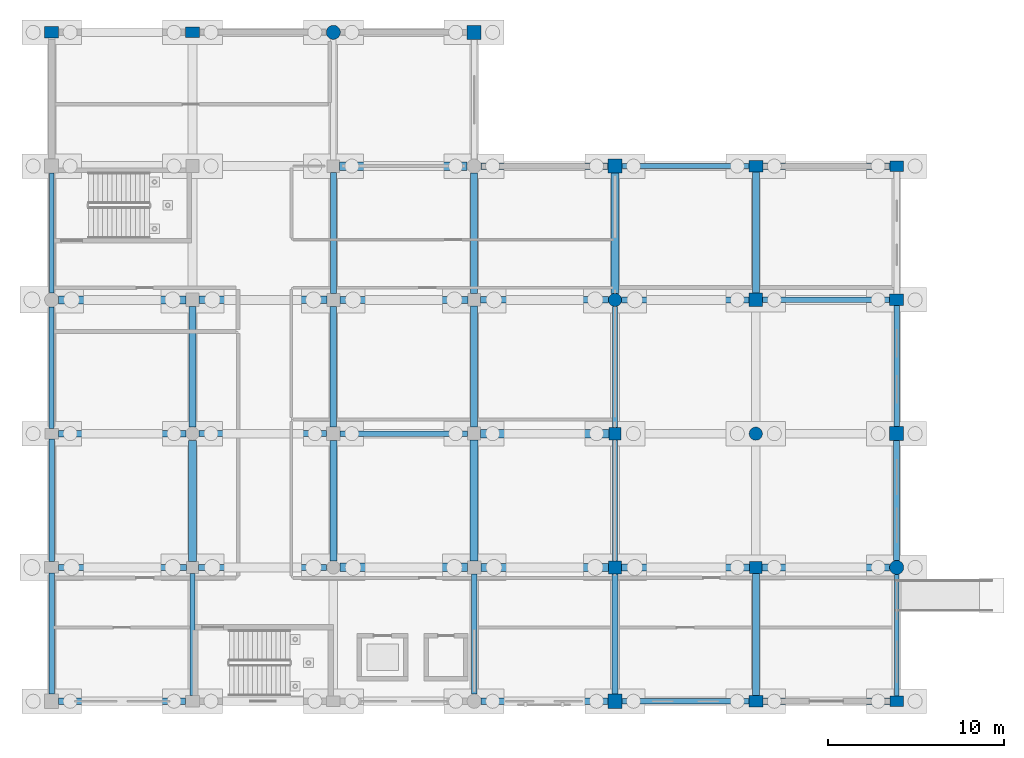
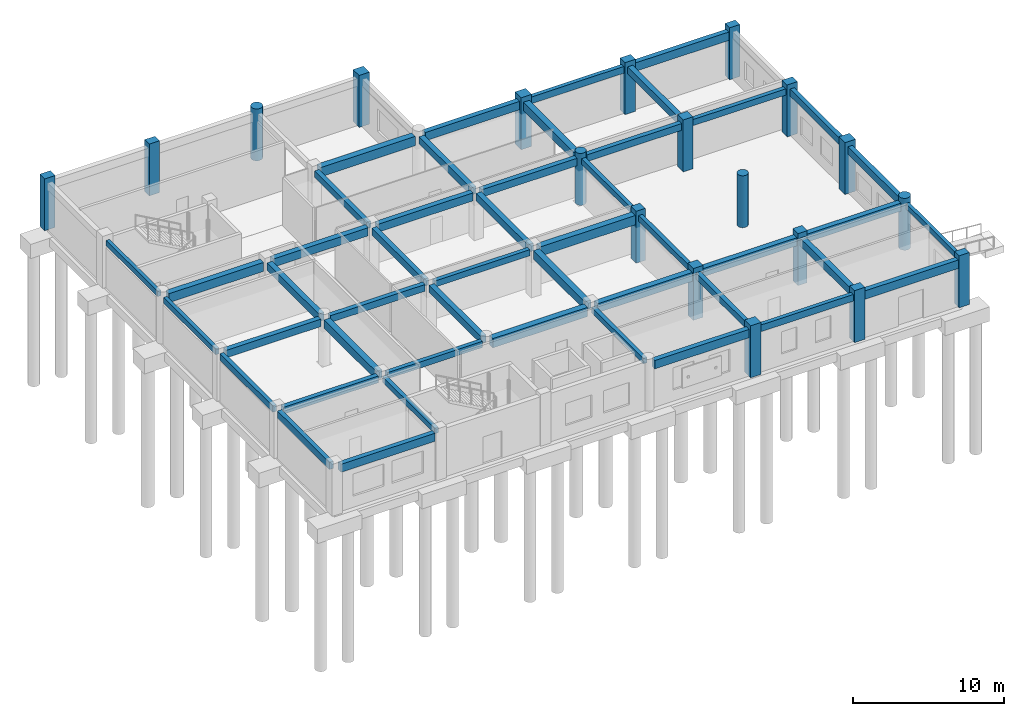
# One storey, part 4 of 11: 47 beams, 19 columns.
"""IFC4 building model written with IfcOpenShell, lengths in metres."""

from ifc_helpers import new_model, si_unit, direction, frame, origin, origin_2d, place, context, subcontext, project, spatial, rectangle, circle, extrude, material, material_profile, profile_set, type_object, element, save


model = new_model("IFC4")

# Units and contexts
model_context = context("Model", 3, precision=1e-05, world=origin(), true_north=direction((0.0, 1.0)))
body_context = subcontext(model_context, "Body", "Model", "MODEL_VIEW")
ifc_project = project(units=[si_unit("LENGTHUNIT", "METRE"), si_unit("AREAUNIT", "SQUARE_METRE"), si_unit("VOLUMEUNIT", "CUBIC_METRE"), si_unit("PLANEANGLEUNIT", "RADIAN"), si_unit("MASSUNIT", "GRAM", prefix="KILO")], contexts=[model_context])

# Site, building, storey
site_placement = place(None, origin())
site = spatial("IfcSite", under=ifc_project, at=site_placement, CompositionType="ELEMENT")
building_placement = place(site_placement, origin())
building = spatial("IfcBuilding", under=site, at=building_placement, Name="Kharva Crest Polytechnic", CompositionType="ELEMENT")
storey_placement = place(building_placement, frame((0.0, 0.0, -4.199951171875)))
storey = spatial("IfcBuildingStorey", under=building, at=storey_placement, Name="LG", CompositionType="ELEMENT", Elevation=-4.199951171875)

# Columns
ifc_material_1 = material(Name="Concrete C40/50", Category="concrete")
ifc_material_profile_1 = material_profile(ifc_material_1, rectangle(XDim=0.780029296875, YDim=0.60009765625, at=origin_2d()), Name="RECT 780 X 600")
ifc_profile_set_1 = profile_set([ifc_material_profile_1], Name="Concrete C40/50")
column_type_1 = type_object("IfcColumnType", Name="COL-EXT-780X600", PredefinedType="COLUMN", material=ifc_profile_set_1)
for number, where, z_axis, x_axis, name in (
    (1, (128.800048828125, 38.0, 0.0), (0.0, 0.0, 1.0), (1.0, 0.0, 0.0), "LG Column 17/F"),
    (2, (168.800048828125, 0.0, 0.0), (0.0, 0.0, 1.0), (1.0, 0.0, 0.0), "LG Column 22/A"),
    (3, (168.800048828125, 30.39990234375, 0.0), (0.0, 0.0, 1.0), (1.0, 0.0, 0.0), "LG Column 22/E"),
):
    element("IfcColumn", number, at=place(storey_placement, frame(where, z_axis=z_axis, x_axis=x_axis)), inside=storey, type_object=column_type_1, Name=name, PredefinedType="COLUMN", context=body_context, shape_type="SweptSolid", body=[
        extrude(rectangle(XDim=0.780029296875, YDim=0.60009765625, at=origin_2d()), origin(), (0.0, 0.0, 1.0), 4.199951171875),
    ])
ifc_material_profile_2 = material_profile(ifc_material_1, rectangle(XDim=0.800048828125, YDim=0.64990234375, at=origin_2d()), Name="RECT 800 X 650")
ifc_profile_set_2 = profile_set([ifc_material_profile_2], Name="Concrete C40/50")
column_type_2 = type_object("IfcColumnType", Name="COL-EXT-800X650", PredefinedType="COLUMN", material=ifc_profile_set_2)
for number, where, z_axis, x_axis, name in (
    (4, (120.800048828125, 38.0, 0.0), (0.0, 0.0, 1.0), (1.0, 0.0, 0.0), "LG Column 16J/F"),
    (5, (160.800048828125, 0.0, 0.0), (0.0, 0.0, 1.0), (1.0, 0.0, 0.0), "LG Column 21/A"),
    (6, (160.800048828125, 30.39990234375, 0.0), (0.0, 0.0, 1.0), (1.0, 0.0, 0.0), "LG Column 21/E"),
    (7, (168.800048828125, 22.800048828125, 0.0), (0.0, 0.0, 1.0), (1.0, 0.0, 0.0), "LG Column 22/D"),
):
    element("IfcColumn", number, at=place(storey_placement, frame(where, z_axis=z_axis, x_axis=x_axis)), inside=storey, type_object=column_type_2, Name=name, PredefinedType="COLUMN", context=body_context, shape_type="SweptSolid", body=[
        extrude(rectangle(XDim=0.800048828125, YDim=0.64990234375, at=origin_2d()), origin(), (0.0, 0.0, 1.0), 4.199951171875),
    ])
ifc_material_profile_3 = material_profile(ifc_material_1, rectangle(XDim=0.800048828125, YDim=0.800048828125, at=origin_2d()), Name="RECT 800 X 800")
ifc_profile_set_3 = profile_set([ifc_material_profile_3], Name="Concrete C40/50")
column_type_3 = type_object("IfcColumnType", Name="COL-EXT-800X800", PredefinedType="COLUMN", material=ifc_profile_set_3)
for number, where, z_axis, x_axis, name in (
    (8, (144.800048828125, 38.0, 0.0), (0.0, 0.0, 1.0), (1.0, 0.0, 0.0), "LG Column 19/F"),
    (9, (152.800048828125, 0.0, 0.0), (0.0, 0.0, 1.0), (1.0, 0.0, 0.0), "LG Column 20/A"),
    (10, (152.800048828125, 30.39990234375, 0.0), (0.0, 0.0, 1.0), (1.0, 0.0, 0.0), "LG Column 20/E"),
    (11, (168.800048828125, 15.199951171875, 0.0), (0.0, 0.0, 1.0), (1.0, 0.0, 0.0), "LG Column 22/C"),
):
    element("IfcColumn", number, at=place(storey_placement, frame(where, z_axis=z_axis, x_axis=x_axis)), inside=storey, type_object=column_type_3, Name=name, PredefinedType="COLUMN", context=body_context, shape_type="SweptSolid", body=[
        extrude(rectangle(XDim=0.800048828125, YDim=0.800048828125, at=origin_2d()), origin(), (0.0, 0.0, 1.0), 4.199951171875),
    ])
ifc_material_profile_4 = material_profile(ifc_material_1, circle(Radius=0.39990234375, at=origin_2d()), Name="DIA 800")
ifc_profile_set_4 = profile_set([ifc_material_profile_4], Name="Concrete C40/50")
column_type_4 = type_object("IfcColumnType", Name="COL-EXT-DIA800", PredefinedType="COLUMN", material=ifc_profile_set_4)
for number, where, z_axis, x_axis, name in (
    (12, (136.800048828125, 38.0, 0.0), (0.0, 0.0, 1.0), (1.0, 0.0, 0.0), "LG Column 18/F"),
    (13, (168.800048828125, 7.60009765625, 0.0), (0.0, 0.0, 1.0), (1.0, 0.0, 0.0), "LG Column 22/B"),
):
    element("IfcColumn", number, at=place(storey_placement, frame(where, z_axis=z_axis, x_axis=x_axis)), inside=storey, type_object=column_type_4, Name=name, PredefinedType="COLUMN", context=body_context, shape_type="SweptSolid", body=[
        extrude(circle(Radius=0.39990234375, at=origin_2d()), origin(), (0.0, 0.0, 1.0), 4.199951171875),
    ])
ifc_material_profile_5 = material_profile(ifc_material_1, rectangle(XDim=0.699951171875, YDim=0.699951171875, at=origin_2d()), Name="RECT 700 X 700")
ifc_profile_set_5 = profile_set([ifc_material_profile_5], Name="Concrete C40/50")
column_type_5 = type_object("IfcColumnType", Name="COL-INT-700X700", PredefinedType="COLUMN", material=ifc_profile_set_5)
for number, where, z_axis, x_axis, name in (
    (14, (152.800048828125, 15.199951171875, 0.0), (0.0, 0.0, 1.0), (1.0, 0.0, 0.0), "LG Column 20/C"),
    (15, (160.800048828125, 7.60009765625, 0.0), (0.0, 0.0, 1.0), (1.0, 0.0, 0.0), "LG Column 21/B"),
):
    element("IfcColumn", number, at=place(storey_placement, frame(where, z_axis=z_axis, x_axis=x_axis)), inside=storey, type_object=column_type_5, Name=name, PredefinedType="COLUMN", context=body_context, shape_type="SweptSolid", body=[
        extrude(rectangle(XDim=0.699951171875, YDim=0.699951171875, at=origin_2d()), origin(), (0.0, 0.0, 1.0), 4.199951171875),
    ])
ifc_material_profile_6 = material_profile(ifc_material_1, rectangle(XDim=0.739990234375, YDim=0.739990234375, at=origin_2d()), Name="RECT 740 X 740")
ifc_profile_set_6 = profile_set([ifc_material_profile_6], Name="Concrete C40/50")
column_type_6 = type_object("IfcColumnType", Name="COL-INT-740X740", PredefinedType="COLUMN", material=ifc_profile_set_6)
column_1_placement = place(storey_placement, frame((152.800048828125, 7.60009765625, 0.0), z_axis=(0.0, 0.0, 1.0), x_axis=(1.0, 0.0, 0.0)))
element("IfcColumn", 16, at=column_1_placement, inside=storey, type_object=column_type_6, Name="LG Column 20/B", PredefinedType="COLUMN", context=body_context, shape_type="SweptSolid", body=[
    extrude(rectangle(XDim=0.739990234375, YDim=0.739990234375, at=origin_2d()), origin(), (0.0, 0.0, 1.0), 4.199951171875),
])
ifc_material_profile_7 = material_profile(ifc_material_1, rectangle(XDim=0.760009765625, YDim=0.760009765625, at=origin_2d()), Name="RECT 760 X 760")
ifc_profile_set_7 = profile_set([ifc_material_profile_7], Name="Concrete C40/50")
column_type_7 = type_object("IfcColumnType", Name="COL-INT-760X760", PredefinedType="COLUMN", material=ifc_profile_set_7)
column_2_placement = place(storey_placement, frame((160.800048828125, 22.800048828125, 0.0), z_axis=(0.0, 0.0, 1.0), x_axis=(1.0, 0.0, 0.0)))
element("IfcColumn", 17, at=column_2_placement, inside=storey, type_object=column_type_7, Name="LG Column 21/D", PredefinedType="COLUMN", context=body_context, shape_type="SweptSolid", body=[
    extrude(rectangle(XDim=0.760009765625, YDim=0.760009765625, at=origin_2d()), origin(), (0.0, 0.0, 1.0), 4.199951171875),
])
ifc_material_profile_8 = material_profile(ifc_material_1, circle(Radius=0.375, at=origin_2d()), Name="DIA 750")
ifc_profile_set_8 = profile_set([ifc_material_profile_8], Name="Concrete C40/50")
column_type_8 = type_object("IfcColumnType", Name="COL-INT-DIA750", PredefinedType="COLUMN", material=ifc_profile_set_8)
for number, where, z_axis, x_axis, name in (
    (18, (152.800048828125, 22.800048828125, 0.0), (0.0, 0.0, 1.0), (1.0, 0.0, 0.0), "LG Column 20/D"),
    (19, (160.800048828125, 15.199951171875, 0.0), (0.0, 0.0, 1.0), (1.0, 0.0, 0.0), "LG Column 21/C"),
):
    element("IfcColumn", number, at=place(storey_placement, frame(where, z_axis=z_axis, x_axis=x_axis)), inside=storey, type_object=column_type_8, Name=name, PredefinedType="COLUMN", context=body_context, shape_type="SweptSolid", body=[
        extrude(circle(Radius=0.375, at=origin_2d()), origin(), (0.0, 0.0, 1.0), 4.199951171875),
    ])

# Beams
ifc_material_2 = material(Name="Concrete C35/45", Category="concrete")
ifc_material_profile_9 = material_profile(ifc_material_2, rectangle(XDim=0.300048828125, YDim=0.449951171875, at=origin_2d()), Name="RECT 300 X 450")
ifc_profile_set_9 = profile_set([ifc_material_profile_9], Name="Concrete C35/45")
beam_type_1 = type_object("IfcBeamType", Name="BM-RC-300X450", PredefinedType="BEAM", material=ifc_profile_set_9)
beam_1_placement = place(storey_placement, frame((128.800048828125, 0.324951171875, 3.570068359375), z_axis=(0.0, 1.0, 0.0), x_axis=(-1.0, 0.0, 0.0)))
element("IfcBeam", 20, at=beam_1_placement, inside=storey, type_object=beam_type_1, Name="LG Girder 17/A-B", PredefinedType="BEAM", context=body_context, shape_type="SweptSolid", body=[
    extrude(rectangle(XDim=0.300048828125, YDim=0.449951171875, at=origin_2d()), origin(), (0.0, 0.0, 1.0), 6.925048828125),
])
beam_2_placement = place(storey_placement, frame((144.800048828125, 0.39990234375, 3.570068359375), z_axis=(0.0, 1.0, 0.0), x_axis=(-1.0, 0.0, 0.0)))
element("IfcBeam", 21, at=beam_2_placement, inside=storey, type_object=beam_type_1, Name="LG Girder 19/A-B", PredefinedType="BEAM", context=body_context, shape_type="SweptSolid", body=[
    extrude(rectangle(XDim=0.300048828125, YDim=0.449951171875, at=origin_2d()), origin(), (0.0, 0.0, 1.0), 6.820068359375),
])
beam_3_placement = place(storey_placement, frame((152.800048828125, 15.550048828125, 3.570068359375), z_axis=(0.0, 1.0, 0.0), x_axis=(-1.0, 0.0, 0.0)))
element("IfcBeam", 22, at=beam_3_placement, inside=storey, type_object=beam_type_1, Name="LG Girder 20/C-D", PredefinedType="BEAM", context=body_context, shape_type="SweptSolid", body=[
    extrude(rectangle(XDim=0.300048828125, YDim=0.449951171875, at=origin_2d()), origin(), (0.0, 0.0, 1.0), 6.875),
])
ifc_material_profile_10 = material_profile(ifc_material_2, rectangle(XDim=0.300048828125, YDim=0.47998046875, at=origin_2d()), Name="RECT 300 X 480")
ifc_profile_set_10 = profile_set([ifc_material_profile_10], Name="Concrete C35/45")
beam_type_2 = type_object("IfcBeamType", Name="BM-RC-300X480", PredefinedType="BEAM", material=ifc_profile_set_10)
beam_4_placement = place(storey_placement, frame((152.800048828125, 7.969970703125, 3.554931640625), z_axis=(0.0, 1.0, 0.0), x_axis=(-1.0, 0.0, 0.0)))
element("IfcBeam", 23, at=beam_4_placement, inside=storey, type_object=beam_type_2, Name="LG Girder 20/B-C", PredefinedType="BEAM", context=body_context, shape_type="SweptSolid", body=[
    extrude(rectangle(XDim=0.300048828125, YDim=0.47998046875, at=origin_2d()), origin(), (0.0, 0.0, 1.0), 6.880126953125),
])
ifc_material_profile_11 = material_profile(ifc_material_2, rectangle(XDim=0.320068359375, YDim=0.5, at=origin_2d()), Name="RECT 320 X 500")
ifc_profile_set_11 = profile_set([ifc_material_profile_11], Name="Concrete C35/45")
beam_type_3 = type_object("IfcBeamType", Name="BM-RC-320X500", PredefinedType="BEAM", material=ifc_profile_set_11)
beam_5_placement = place(storey_placement, frame((129.14990234375, 7.60009765625, 3.544921875), z_axis=(1.0, 0.0, 0.0), x_axis=(0.0, 1.0, 0.0)))
element("IfcBeam", 24, at=beam_5_placement, inside=storey, type_object=beam_type_3, Name="LG Beam B/17-18", PredefinedType="BEAM", context=body_context, shape_type="SweptSolid", body=[
    extrude(rectangle(XDim=0.320068359375, YDim=0.5, at=origin_2d()), origin(), (0.0, 0.0, 1.0), 7.275146484375),
])
beam_6_placement = place(storey_placement, frame((137.179931640625, 15.199951171875, 3.544921875), z_axis=(1.0, 0.0, 0.0), x_axis=(0.0, 1.0, 0.0)))
element("IfcBeam", 25, at=beam_6_placement, inside=storey, type_object=beam_type_3, Name="LG Beam C/18-19", PredefinedType="BEAM", context=body_context, shape_type="SweptSolid", body=[
    extrude(rectangle(XDim=0.320068359375, YDim=0.5, at=origin_2d()), origin(), (0.0, 0.0, 1.0), 7.25),
])
beam_7_placement = place(storey_placement, frame((161.179931640625, 22.800048828125, 3.544921875), z_axis=(1.0, 0.0, 0.0), x_axis=(0.0, 1.0, 0.0)))
element("IfcBeam", 26, at=beam_7_placement, inside=storey, type_object=beam_type_3, Name="LG Beam D/21-22", PredefinedType="BEAM", context=body_context, shape_type="SweptSolid", body=[
    extrude(rectangle(XDim=0.320068359375, YDim=0.5, at=origin_2d()), origin(), (0.0, 0.0, 1.0), 7.219970703125),
])
ifc_material_profile_12 = material_profile(ifc_material_2, rectangle(XDim=0.340087890625, YDim=0.52001953125, at=origin_2d()), Name="RECT 340 X 520")
ifc_profile_set_12 = profile_set([ifc_material_profile_12], Name="Concrete C35/45")
beam_type_4 = type_object("IfcBeamType", Name="BM-RC-340X520", PredefinedType="BEAM", material=ifc_profile_set_12)
beam_8_placement = place(storey_placement, frame((136.800048828125, 23.169921875, 3.534912109375), z_axis=(0.0, 1.0, 0.0), x_axis=(-1.0, 0.0, 0.0)))
element("IfcBeam", 27, at=beam_8_placement, inside=storey, type_object=beam_type_4, Name="LG Girder 18/D-E", PredefinedType="BEAM", context=body_context, shape_type="SweptSolid", body=[
    extrude(rectangle(XDim=0.340087890625, YDim=0.52001953125, at=origin_2d()), origin(), (0.0, 0.0, 1.0), 6.880126953125),
])
beam_9_placement = place(storey_placement, frame((152.800048828125, 0.39990234375, 3.534912109375), z_axis=(0.0, 1.0, 0.0), x_axis=(-1.0, 0.0, 0.0)))
element("IfcBeam", 28, at=beam_9_placement, inside=storey, type_object=beam_type_4, Name="LG Girder 20/A-B", PredefinedType="BEAM", context=body_context, shape_type="SweptSolid", body=[
    extrude(rectangle(XDim=0.340087890625, YDim=0.52001953125, at=origin_2d()), origin(), (0.0, 0.0, 1.0), 6.830078125),
])
ifc_material_profile_13 = material_profile(ifc_material_2, rectangle(XDim=0.35009765625, YDim=0.550048828125, at=origin_2d()), Name="RECT 350 X 550")
ifc_profile_set_13 = profile_set([ifc_material_profile_13], Name="Concrete C35/45")
beam_type_5 = type_object("IfcBeamType", Name="BM-RC-350X550", PredefinedType="BEAM", material=ifc_profile_set_13)
beam_10_placement = place(storey_placement, frame((121.199951171875, 7.60009765625, 3.52001953125), z_axis=(1.0, 0.0, 0.0), x_axis=(0.0, 1.0, 0.0)))
element("IfcBeam", 29, at=beam_10_placement, inside=storey, type_object=beam_type_5, Name="LG Beam B/16J-17", PredefinedType="BEAM", context=body_context, shape_type="SweptSolid", body=[
    extrude(rectangle(XDim=0.35009765625, YDim=0.550048828125, at=origin_2d()), origin(), (0.0, 0.0, 1.0), 7.25),
])
for number, where, z_axis, x_axis, name in (
    (30, (129.175048828125, 15.199951171875, 3.52001953125), (1.0, 0.0, 0.0), (0.0, 1.0, 0.0), "LG Beam C/17-18"),
    (31, (153.175048828125, 22.800048828125, 3.52001953125), (1.0, 0.0, 0.0), (0.0, 1.0, 0.0), "LG Beam D/20-21"),
):
    element("IfcBeam", number, at=place(storey_placement, frame(where, z_axis=z_axis, x_axis=x_axis)), inside=storey, type_object=beam_type_5, Name=name, PredefinedType="BEAM", context=body_context, shape_type="SweptSolid", body=[
        extrude(rectangle(XDim=0.35009765625, YDim=0.550048828125, at=origin_2d()), origin(), (0.0, 0.0, 1.0), 7.244873046875),
    ])
ifc_material_profile_14 = material_profile(ifc_material_2, rectangle(XDim=0.360107421875, YDim=0.580078125, at=origin_2d()), Name="RECT 360 X 580")
ifc_profile_set_14 = profile_set([ifc_material_profile_14], Name="Concrete C35/45")
beam_type_6 = type_object("IfcBeamType", Name="BM-RC-360X580", PredefinedType="BEAM", material=ifc_profile_set_14)
beam_11_placement = place(storey_placement, frame((136.800048828125, 15.580078125, 3.5048828125), z_axis=(0.0, 1.0, 0.0), x_axis=(-1.0, 0.0, 0.0)))
element("IfcBeam", 32, at=beam_11_placement, inside=storey, type_object=beam_type_6, Name="LG Girder 18/C-D", PredefinedType="BEAM", context=body_context, shape_type="SweptSolid", body=[
    extrude(rectangle(XDim=0.360107421875, YDim=0.580078125, at=origin_2d()), origin(), (0.0, 0.0, 1.0), 6.849853515625),
])
ifc_material_profile_15 = material_profile(ifc_material_2, rectangle(XDim=0.3798828125, YDim=0.60009765625, at=origin_2d()), Name="RECT 380 X 600")
ifc_profile_set_15 = profile_set([ifc_material_profile_15], Name="Concrete C35/45")
beam_type_7 = type_object("IfcBeamType", Name="BM-RC-380X600", PredefinedType="BEAM", material=ifc_profile_set_15)
beam_12_placement = place(storey_placement, frame((121.18994140625, 15.199951171875, 3.494873046875), z_axis=(1.0, 0.0, 0.0), x_axis=(0.0, 1.0, 0.0)))
element("IfcBeam", 33, at=beam_12_placement, inside=storey, type_object=beam_type_7, Name="LG Beam C/16J-17", PredefinedType="BEAM", context=body_context, shape_type="SweptSolid", body=[
    extrude(rectangle(XDim=0.3798828125, YDim=0.60009765625, at=origin_2d()), origin(), (0.0, 0.0, 1.0), 7.235107421875),
])
beam_13_placement = place(storey_placement, frame((145.14990234375, 22.800048828125, 3.494873046875), z_axis=(1.0, 0.0, 0.0), x_axis=(0.0, 1.0, 0.0)))
element("IfcBeam", 34, at=beam_13_placement, inside=storey, type_object=beam_type_7, Name="LG Beam D/19-20", PredefinedType="BEAM", context=body_context, shape_type="SweptSolid", body=[
    extrude(rectangle(XDim=0.3798828125, YDim=0.60009765625, at=origin_2d()), origin(), (0.0, 0.0, 1.0), 7.275146484375),
])
ifc_material_profile_16 = material_profile(ifc_material_2, rectangle(XDim=0.39990234375, YDim=0.580078125, at=origin_2d()), Name="RECT 400 X 580")
ifc_profile_set_16 = profile_set([ifc_material_profile_16], Name="Concrete C35/45")
beam_type_8 = type_object("IfcBeamType", Name="BM-RC-400X580", PredefinedType="BEAM", material=ifc_profile_set_16)
beam_14_placement = place(storey_placement, frame((136.800048828125, 7.97509765625, 3.5048828125), z_axis=(0.0, 1.0, 0.0), x_axis=(-1.0, 0.0, 0.0)))
element("IfcBeam", 35, at=beam_14_placement, inside=storey, type_object=beam_type_8, Name="LG Girder 18/B-C", PredefinedType="BEAM", context=body_context, shape_type="SweptSolid", body=[
    extrude(rectangle(XDim=0.39990234375, YDim=0.580078125, at=origin_2d()), origin(), (0.0, 0.0, 1.0), 6.844970703125),
])
beam_15_placement = place(storey_placement, frame((144.800048828125, 23.14990234375, 3.5048828125), z_axis=(0.0, 1.0, 0.0), x_axis=(-1.0, 0.0, 0.0)))
element("IfcBeam", 36, at=beam_15_placement, inside=storey, type_object=beam_type_8, Name="LG Girder 19/D-E", PredefinedType="BEAM", context=body_context, shape_type="SweptSolid", body=[
    extrude(rectangle(XDim=0.39990234375, YDim=0.580078125, at=origin_2d()), origin(), (0.0, 0.0, 1.0), 6.85009765625),
])
beam_16_placement = place(storey_placement, frame((160.800048828125, 23.179931640625, 3.5048828125), z_axis=(0.0, 1.0, 0.0), x_axis=(-1.0, 0.0, 0.0)))
element("IfcBeam", 37, at=beam_16_placement, inside=storey, type_object=beam_type_8, Name="LG Girder 21/D-E", PredefinedType="BEAM", context=body_context, shape_type="SweptSolid", body=[
    extrude(rectangle(XDim=0.39990234375, YDim=0.580078125, at=origin_2d()), origin(), (0.0, 0.0, 1.0), 6.89501953125),
])
ifc_material_profile_17 = material_profile(ifc_material_2, rectangle(XDim=0.39990234375, YDim=0.6201171875, at=origin_2d()), Name="RECT 400 X 620")
ifc_profile_set_17 = profile_set([ifc_material_profile_17], Name="Concrete C35/45")
beam_type_9 = type_object("IfcBeamType", Name="BM-RC-400X620", PredefinedType="BEAM", material=ifc_profile_set_17)
beam_17_placement = place(storey_placement, frame((128.800048828125, 15.574951171875, 3.48486328125), z_axis=(0.0, 1.0, 0.0), x_axis=(-1.0, 0.0, 0.0)))
element("IfcBeam", 38, at=beam_17_placement, inside=storey, type_object=beam_type_9, Name="LG Girder 17/C-D", PredefinedType="BEAM", context=body_context, shape_type="SweptSolid", body=[
    extrude(rectangle(XDim=0.39990234375, YDim=0.6201171875, at=origin_2d()), origin(), (0.0, 0.0, 1.0), 6.844970703125),
])
beam_18_placement = place(storey_placement, frame((144.800048828125, 15.570068359375, 3.48486328125), z_axis=(0.0, 1.0, 0.0), x_axis=(-1.0, 0.0, 0.0)))
element("IfcBeam", 39, at=beam_18_placement, inside=storey, type_object=beam_type_9, Name="LG Girder 19/C-D", PredefinedType="BEAM", context=body_context, shape_type="SweptSolid", body=[
    extrude(rectangle(XDim=0.39990234375, YDim=0.6201171875, at=origin_2d()), origin(), (0.0, 0.0, 1.0), 6.8798828125),
])
beam_19_placement = place(storey_placement, frame((160.800048828125, 0.324951171875, 3.48486328125), z_axis=(0.0, 1.0, 0.0), x_axis=(-1.0, 0.0, 0.0)))
element("IfcBeam", 40, at=beam_19_placement, inside=storey, type_object=beam_type_9, Name="LG Girder 21/A-B", PredefinedType="BEAM", context=body_context, shape_type="SweptSolid", body=[
    extrude(rectangle(XDim=0.39990234375, YDim=0.6201171875, at=origin_2d()), origin(), (0.0, 0.0, 1.0), 6.925048828125),
])
ifc_material_profile_18 = material_profile(ifc_material_2, rectangle(XDim=0.39990234375, YDim=0.64990234375, at=origin_2d()), Name="RECT 400 X 650")
ifc_profile_set_18 = profile_set([ifc_material_profile_18], Name="Concrete C35/45")
beam_type_10 = type_object("IfcBeamType", Name="BM-RC-400X650", PredefinedType="BEAM", material=ifc_profile_set_18)
beam_20_placement = place(storey_placement, frame((161.14990234375, 7.60009765625, 3.469970703125), z_axis=(1.0, 0.0, 0.0), x_axis=(0.0, 1.0, 0.0)))
element("IfcBeam", 41, at=beam_20_placement, inside=storey, type_object=beam_type_10, Name="LG Beam B/21-22", PredefinedType="BEAM", context=body_context, shape_type="SweptSolid", body=[
    extrude(rectangle(XDim=0.39990234375, YDim=0.64990234375, at=origin_2d()), origin(), (0.0, 0.0, 1.0), 7.25),
])
beam_21_placement = place(storey_placement, frame((137.169921875, 22.800048828125, 3.469970703125), z_axis=(1.0, 0.0, 0.0), x_axis=(0.0, 1.0, 0.0)))
element("IfcBeam", 42, at=beam_21_placement, inside=storey, type_object=beam_type_10, Name="LG Beam D/18-19", PredefinedType="BEAM", context=body_context, shape_type="SweptSolid", body=[
    extrude(rectangle(XDim=0.39990234375, YDim=0.64990234375, at=origin_2d()), origin(), (0.0, 0.0, 1.0), 7.280029296875),
])
ifc_material_profile_19 = material_profile(ifc_material_2, rectangle(XDim=0.419921875, YDim=0.659912109375, at=origin_2d()), Name="RECT 420 X 660")
ifc_profile_set_19 = profile_set([ifc_material_profile_19], Name="Concrete C35/45")
beam_type_11 = type_object("IfcBeamType", Name="BM-RC-420X660", PredefinedType="BEAM", material=ifc_profile_set_19)
beam_22_placement = place(storey_placement, frame((153.169921875, 7.60009765625, 3.46484375), z_axis=(1.0, 0.0, 0.0), x_axis=(0.0, 1.0, 0.0)))
element("IfcBeam", 43, at=beam_22_placement, inside=storey, type_object=beam_type_11, Name="LG Beam B/20-21", PredefinedType="BEAM", context=body_context, shape_type="SweptSolid", body=[
    extrude(rectangle(XDim=0.419921875, YDim=0.659912109375, at=origin_2d()), origin(), (0.0, 0.0, 1.0), 7.280029296875),
])
beam_23_placement = place(storey_placement, frame((129.179931640625, 22.800048828125, 3.46484375), z_axis=(1.0, 0.0, 0.0), x_axis=(0.0, 1.0, 0.0)))
element("IfcBeam", 44, at=beam_23_placement, inside=storey, type_object=beam_type_11, Name="LG Beam D/17-18", PredefinedType="BEAM", context=body_context, shape_type="SweptSolid", body=[
    extrude(rectangle(XDim=0.419921875, YDim=0.659912109375, at=origin_2d()), origin(), (0.0, 0.0, 1.0), 7.25),
])
ifc_material_profile_20 = material_profile(ifc_material_2, rectangle(XDim=0.449951171875, YDim=0.679931640625, at=origin_2d()), Name="RECT 450 X 680")
ifc_profile_set_20 = profile_set([ifc_material_profile_20], Name="Concrete C35/45")
beam_type_12 = type_object("IfcBeamType", Name="BM-RC-450X680", PredefinedType="BEAM", material=ifc_profile_set_20)
beam_24_placement = place(storey_placement, frame((128.800048828125, 7.949951171875, 3.454833984375), z_axis=(0.0, 1.0, 0.0), x_axis=(-1.0, 0.0, 0.0)))
element("IfcBeam", 45, at=beam_24_placement, inside=storey, type_object=beam_type_12, Name="LG Girder 17/B-C", PredefinedType="BEAM", context=body_context, shape_type="SweptSolid", body=[
    extrude(rectangle(XDim=0.449951171875, YDim=0.679931640625, at=origin_2d()), origin(), (0.0, 0.0, 1.0), 6.875),
])
beam_25_placement = place(storey_placement, frame((144.800048828125, 7.97998046875, 3.454833984375), z_axis=(0.0, 1.0, 0.0), x_axis=(-1.0, 0.0, 0.0)))
element("IfcBeam", 46, at=beam_25_placement, inside=storey, type_object=beam_type_12, Name="LG Girder 19/B-C", PredefinedType="BEAM", context=body_context, shape_type="SweptSolid", body=[
    extrude(rectangle(XDim=0.449951171875, YDim=0.679931640625, at=origin_2d()), origin(), (0.0, 0.0, 1.0), 6.85009765625),
])
beam_26_placement = place(storey_placement, frame((152.800048828125, 23.175048828125, 3.454833984375), z_axis=(0.0, 1.0, 0.0), x_axis=(-1.0, 0.0, 0.0)))
element("IfcBeam", 47, at=beam_26_placement, inside=storey, type_object=beam_type_12, Name="LG Girder 20/D-E", PredefinedType="BEAM", context=body_context, shape_type="SweptSolid", body=[
    extrude(rectangle(XDim=0.449951171875, YDim=0.679931640625, at=origin_2d()), origin(), (0.0, 0.0, 1.0), 6.824951171875),
])
ifc_material_profile_21 = material_profile(ifc_material_2, rectangle(XDim=0.449951171875, YDim=0.719970703125, at=origin_2d()), Name="RECT 450 X 720")
ifc_profile_set_21 = profile_set([ifc_material_profile_21], Name="Concrete C35/45")
beam_type_13 = type_object("IfcBeamType", Name="BM-RC-450X720", PredefinedType="BEAM", material=ifc_profile_set_21)
beam_27_placement = place(storey_placement, frame((145.179931640625, 7.60009765625, 3.43505859375), z_axis=(1.0, 0.0, 0.0), x_axis=(0.0, 1.0, 0.0)))
element("IfcBeam", 48, at=beam_27_placement, inside=storey, type_object=beam_type_13, Name="LG Beam B/19-20", PredefinedType="BEAM", context=body_context, shape_type="SweptSolid", body=[
    extrude(rectangle(XDim=0.449951171875, YDim=0.719970703125, at=origin_2d()), origin(), (0.0, 0.0, 1.0), 7.25),
])
beam_28_placement = place(storey_placement, frame((121.199951171875, 22.800048828125, 3.43505859375), z_axis=(1.0, 0.0, 0.0), x_axis=(0.0, 1.0, 0.0)))
element("IfcBeam", 49, at=beam_28_placement, inside=storey, type_object=beam_type_13, Name="LG Beam D/16J-17", PredefinedType="BEAM", context=body_context, shape_type="SweptSolid", body=[
    extrude(rectangle(XDim=0.449951171875, YDim=0.719970703125, at=origin_2d()), origin(), (0.0, 0.0, 1.0), 7.219970703125),
])
ifc_material_profile_22 = material_profile(ifc_material_2, rectangle(XDim=0.47998046875, YDim=0.75, at=origin_2d()), Name="RECT 480 X 750")
ifc_profile_set_22 = profile_set([ifc_material_profile_22], Name="Concrete C35/45")
beam_type_14 = type_object("IfcBeamType", Name="BM-RC-480X750", PredefinedType="BEAM", material=ifc_profile_set_22)
beam_29_placement = place(storey_placement, frame((137.175048828125, 7.60009765625, 3.419921875), z_axis=(1.0, 0.0, 0.0), x_axis=(0.0, 1.0, 0.0)))
element("IfcBeam", 50, at=beam_29_placement, inside=storey, type_object=beam_type_14, Name="LG Beam B/18-19", PredefinedType="BEAM", context=body_context, shape_type="SweptSolid", body=[
    extrude(rectangle(XDim=0.47998046875, YDim=0.75, at=origin_2d()), origin(), (0.0, 0.0, 1.0), 7.244873046875),
])
beam_30_placement = place(storey_placement, frame((145.169921875, 15.199951171875, 3.419921875), z_axis=(1.0, 0.0, 0.0), x_axis=(0.0, 1.0, 0.0)))
element("IfcBeam", 51, at=beam_30_placement, inside=storey, type_object=beam_type_14, Name="LG Beam C/19-20", PredefinedType="BEAM", context=body_context, shape_type="SweptSolid", body=[
    extrude(rectangle(XDim=0.47998046875, YDim=0.75, at=origin_2d()), origin(), (0.0, 0.0, 1.0), 7.280029296875),
])
beam_31_placement = place(storey_placement, frame((137.14990234375, 30.39990234375, 3.419921875), z_axis=(1.0, 0.0, 0.0), x_axis=(0.0, 1.0, 0.0)))
element("IfcBeam", 52, at=beam_31_placement, inside=storey, type_object=beam_type_14, Name="LG Beam E/18-19", PredefinedType="BEAM", context=body_context, shape_type="SweptSolid", body=[
    extrude(rectangle(XDim=0.47998046875, YDim=0.75, at=origin_2d()), origin(), (0.0, 0.0, 1.0), 7.25),
])
ifc_material_profile_23 = material_profile(ifc_material_2, rectangle(XDim=0.260009765625, YDim=0.43994140625, at=origin_2d()), Name="RECT 260 X 440")
ifc_profile_set_23 = profile_set([ifc_material_profile_23], Name="Concrete C35/45")
beam_type_15 = type_object("IfcBeamType", Name="SP-RC-260X440", PredefinedType="SPANDREL", material=ifc_profile_set_23)
beam_32_placement = place(storey_placement, frame((120.800048828125, 23.199951171875, 3.574951171875), z_axis=(0.0, 1.0, 0.0), x_axis=(-1.0, 0.0, 0.0)))
element("IfcBeam", 53, at=beam_32_placement, inside=storey, type_object=beam_type_15, Name="LG Girder 16J/D-E", PredefinedType="SPANDREL", context=body_context, shape_type="SweptSolid", body=[
    extrude(rectangle(XDim=0.260009765625, YDim=0.43994140625, at=origin_2d()), origin(), (0.0, 0.0, 1.0), 6.800048828125),
])
beam_33_placement = place(storey_placement, frame((168.800048828125, 0.300048828125, 3.574951171875), z_axis=(0.0, 1.0, 0.0), x_axis=(-1.0, 0.0, 0.0)))
element("IfcBeam", 54, at=beam_33_placement, inside=storey, type_object=beam_type_15, Name="LG Girder 22/A-B", PredefinedType="SPANDREL", context=body_context, shape_type="SweptSolid", body=[
    extrude(rectangle(XDim=0.260009765625, YDim=0.43994140625, at=origin_2d()), origin(), (0.0, 0.0, 1.0), 6.89990234375),
])
ifc_material_profile_24 = material_profile(ifc_material_2, rectangle(XDim=0.280029296875, YDim=0.4599609375, at=origin_2d()), Name="RECT 280 X 460")
ifc_profile_set_24 = profile_set([ifc_material_profile_24], Name="Concrete C35/45")
beam_type_16 = type_object("IfcBeamType", Name="SP-RC-280X460", PredefinedType="SPANDREL", material=ifc_profile_set_24)
beam_34_placement = place(storey_placement, frame((120.800048828125, 15.5, 3.56494140625), z_axis=(0.0, 1.0, 0.0), x_axis=(-1.0, 0.0, 0.0)))
element("IfcBeam", 55, at=beam_34_placement, inside=storey, type_object=beam_type_16, Name="LG Girder 16J/C-D", PredefinedType="SPANDREL", context=body_context, shape_type="SweptSolid", body=[
    extrude(rectangle(XDim=0.280029296875, YDim=0.4599609375, at=origin_2d()), origin(), (0.0, 0.0, 1.0), 6.89990234375),
])
ifc_material_profile_25 = material_profile(ifc_material_2, rectangle(XDim=0.300048828125, YDim=0.52001953125, at=origin_2d()), Name="RECT 300 X 520")
ifc_profile_set_25 = profile_set([ifc_material_profile_25], Name="Concrete C35/45")
beam_type_17 = type_object("IfcBeamType", Name="SP-RC-300X520", PredefinedType="SPANDREL", material=ifc_profile_set_25)
beam_35_placement = place(storey_placement, frame((120.800048828125, 7.925048828125, 3.534912109375), z_axis=(0.0, 1.0, 0.0), x_axis=(-1.0, 0.0, 0.0)))
element("IfcBeam", 56, at=beam_35_placement, inside=storey, type_object=beam_type_17, Name="LG Girder 16J/B-C", PredefinedType="SPANDREL", context=body_context, shape_type="SweptSolid", body=[
    extrude(rectangle(XDim=0.300048828125, YDim=0.52001953125, at=origin_2d()), origin(), (0.0, 0.0, 1.0), 6.974853515625),
])
ifc_material_profile_26 = material_profile(ifc_material_2, rectangle(XDim=0.300048828125, YDim=0.550048828125, at=origin_2d()), Name="RECT 300 X 550")
ifc_profile_set_26 = profile_set([ifc_material_profile_26], Name="Concrete C35/45")
beam_type_18 = type_object("IfcBeamType", Name="SP-RC-300X550", PredefinedType="SPANDREL", material=ifc_profile_set_26)
for number, where, z_axis, x_axis, name in (
    (57, (153.199951171875, 0.0, 3.52001953125), (1.0, 0.0, 0.0), (0.0, 1.0, 0.0), "LG Beam A/20-21"),
    (58, (153.199951171875, 30.39990234375, 3.52001953125), (1.0, 0.0, 0.0), (0.0, 1.0, 0.0), "LG Beam E/20-21"),
):
    element("IfcBeam", number, at=place(storey_placement, frame(where, z_axis=z_axis, x_axis=x_axis)), inside=storey, type_object=beam_type_18, Name=name, PredefinedType="SPANDREL", context=body_context, shape_type="SweptSolid", body=[
        extrude(rectangle(XDim=0.300048828125, YDim=0.550048828125, at=origin_2d()), origin(), (0.0, 0.0, 1.0), 7.199951171875),
    ])
ifc_material_profile_27 = material_profile(ifc_material_2, rectangle(XDim=0.320068359375, YDim=0.580078125, at=origin_2d()), Name="RECT 320 X 580")
ifc_profile_set_27 = profile_set([ifc_material_profile_27], Name="Concrete C35/45")
beam_type_19 = type_object("IfcBeamType", Name="SP-RC-320X580", PredefinedType="SPANDREL", material=ifc_profile_set_27)
for number, where, z_axis, x_axis, name in (
    (59, (120.800048828125, 0.39990234375, 3.5048828125), (0.0, 1.0, 0.0), (-1.0, 0.0, 0.0), "LG Girder 16J/A-B"),
    (60, (168.800048828125, 15.60009765625, 3.5048828125), (0.0, 1.0, 0.0), (-1.0, 0.0, 0.0), "LG Girder 22/C-D"),
):
    element("IfcBeam", number, at=place(storey_placement, frame(where, z_axis=z_axis, x_axis=x_axis)), inside=storey, type_object=beam_type_19, Name=name, PredefinedType="SPANDREL", context=body_context, shape_type="SweptSolid", body=[
        extrude(rectangle(XDim=0.320068359375, YDim=0.580078125, at=origin_2d()), origin(), (0.0, 0.0, 1.0), 6.875),
    ])
ifc_material_profile_28 = material_profile(ifc_material_2, rectangle(XDim=0.35009765625, YDim=0.6201171875, at=origin_2d()), Name="RECT 350 X 620")
ifc_profile_set_28 = profile_set([ifc_material_profile_28], Name="Concrete C35/45")
beam_type_20 = type_object("IfcBeamType", Name="SP-RC-350X620", PredefinedType="SPANDREL", material=ifc_profile_set_28)
beam_36_placement = place(storey_placement, frame((168.800048828125, 8.0, 3.48486328125), z_axis=(0.0, 1.0, 0.0), x_axis=(-1.0, 0.0, 0.0)))
element("IfcBeam", 61, at=beam_36_placement, inside=storey, type_object=beam_type_20, Name="LG Girder 22/B-C", PredefinedType="SPANDREL", context=body_context, shape_type="SweptSolid", body=[
    extrude(rectangle(XDim=0.35009765625, YDim=0.6201171875, at=origin_2d()), origin(), (0.0, 0.0, 1.0), 6.800048828125),
])
ifc_material_profile_29 = material_profile(ifc_material_2, rectangle(XDim=0.360107421875, YDim=0.64990234375, at=origin_2d()), Name="RECT 360 X 650")
ifc_profile_set_29 = profile_set([ifc_material_profile_29], Name="Concrete C35/45")
beam_type_21 = type_object("IfcBeamType", Name="SP-RC-360X650", PredefinedType="SPANDREL", material=ifc_profile_set_29)
beam_37_placement = place(storey_placement, frame((121.199951171875, 0.0, 3.469970703125), z_axis=(1.0, 0.0, 0.0), x_axis=(0.0, 1.0, 0.0)))
element("IfcBeam", 62, at=beam_37_placement, inside=storey, type_object=beam_type_21, Name="LG Beam A/16J-17", PredefinedType="SPANDREL", context=body_context, shape_type="SweptSolid", body=[
    extrude(rectangle(XDim=0.360107421875, YDim=0.64990234375, at=origin_2d()), origin(), (0.0, 0.0, 1.0), 7.199951171875),
])
ifc_material_profile_30 = material_profile(ifc_material_2, rectangle(XDim=0.3798828125, YDim=0.679931640625, at=origin_2d()), Name="RECT 380 X 680")
ifc_profile_set_30 = profile_set([ifc_material_profile_30], Name="Concrete C35/45")
beam_type_22 = type_object("IfcBeamType", Name="SP-RC-380X680", PredefinedType="SPANDREL", material=ifc_profile_set_30)
beam_38_placement = place(storey_placement, frame((145.199951171875, 0.0, 3.454833984375), z_axis=(1.0, 0.0, 0.0), x_axis=(0.0, 1.0, 0.0)))
element("IfcBeam", 63, at=beam_38_placement, inside=storey, type_object=beam_type_22, Name="LG Beam A/19-20", PredefinedType="SPANDREL", context=body_context, shape_type="SweptSolid", body=[
    extrude(rectangle(XDim=0.3798828125, YDim=0.679931640625, at=origin_2d()), origin(), (0.0, 0.0, 1.0), 7.199951171875),
])
beam_39_placement = place(storey_placement, frame((161.199951171875, 0.0, 3.454833984375), z_axis=(1.0, 0.0, 0.0), x_axis=(0.0, 1.0, 0.0)))
element("IfcBeam", 64, at=beam_39_placement, inside=storey, type_object=beam_type_22, Name="LG Beam A/21-22", PredefinedType="SPANDREL", context=body_context, shape_type="SweptSolid", body=[
    extrude(rectangle(XDim=0.3798828125, YDim=0.679931640625, at=origin_2d()), origin(), (0.0, 0.0, 1.0), 7.2099609375),
])
beam_40_placement = place(storey_placement, frame((145.199951171875, 30.39990234375, 3.454833984375), z_axis=(1.0, 0.0, 0.0), x_axis=(0.0, 1.0, 0.0)))
element("IfcBeam", 65, at=beam_40_placement, inside=storey, type_object=beam_type_22, Name="LG Beam E/19-20", PredefinedType="SPANDREL", context=body_context, shape_type="SweptSolid", body=[
    extrude(rectangle(XDim=0.3798828125, YDim=0.679931640625, at=origin_2d()), origin(), (0.0, 0.0, 1.0), 7.199951171875),
])
beam_41_placement = place(storey_placement, frame((161.199951171875, 30.39990234375, 3.454833984375), z_axis=(1.0, 0.0, 0.0), x_axis=(0.0, 1.0, 0.0)))
element("IfcBeam", 66, at=beam_41_placement, inside=storey, type_object=beam_type_22, Name="LG Beam E/21-22", PredefinedType="SPANDREL", context=body_context, shape_type="SweptSolid", body=[
    extrude(rectangle(XDim=0.3798828125, YDim=0.679931640625, at=origin_2d()), origin(), (0.0, 0.0, 1.0), 7.2099609375),
])

save(model, "model.ifc")
